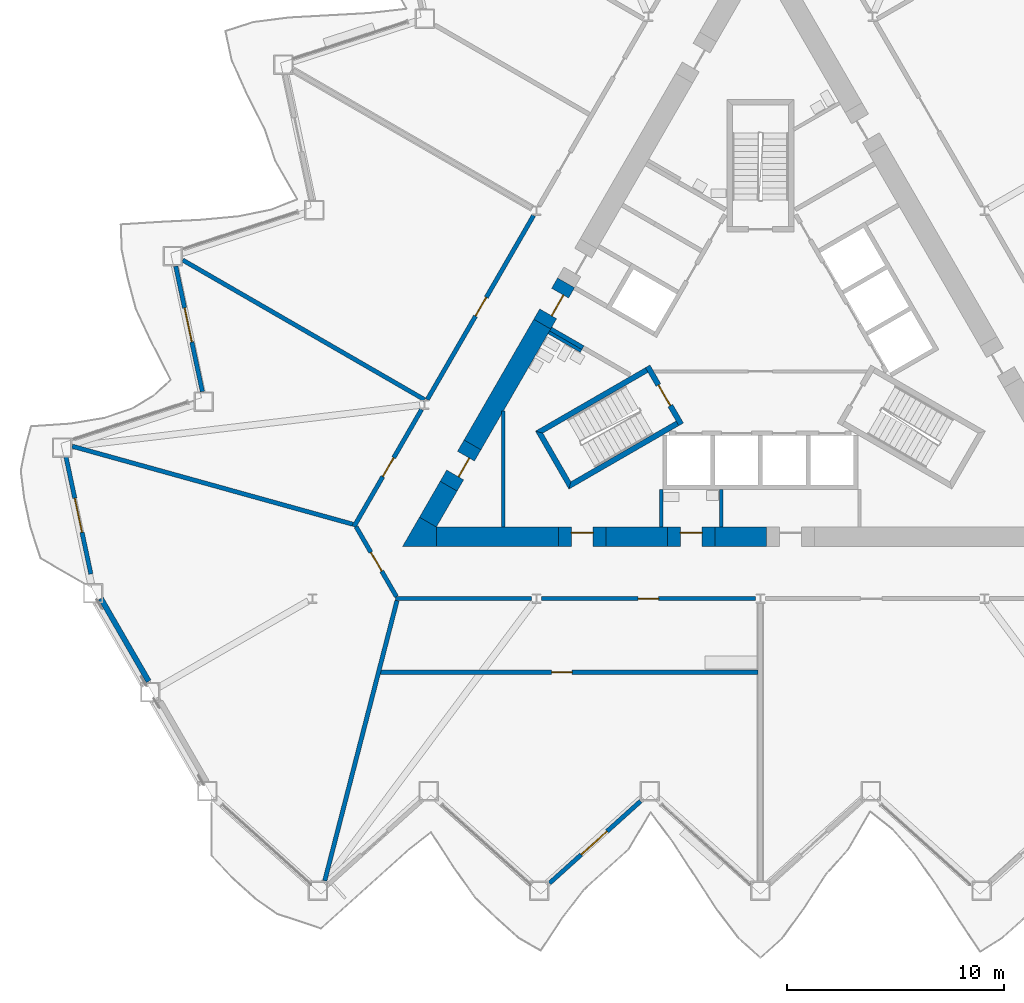
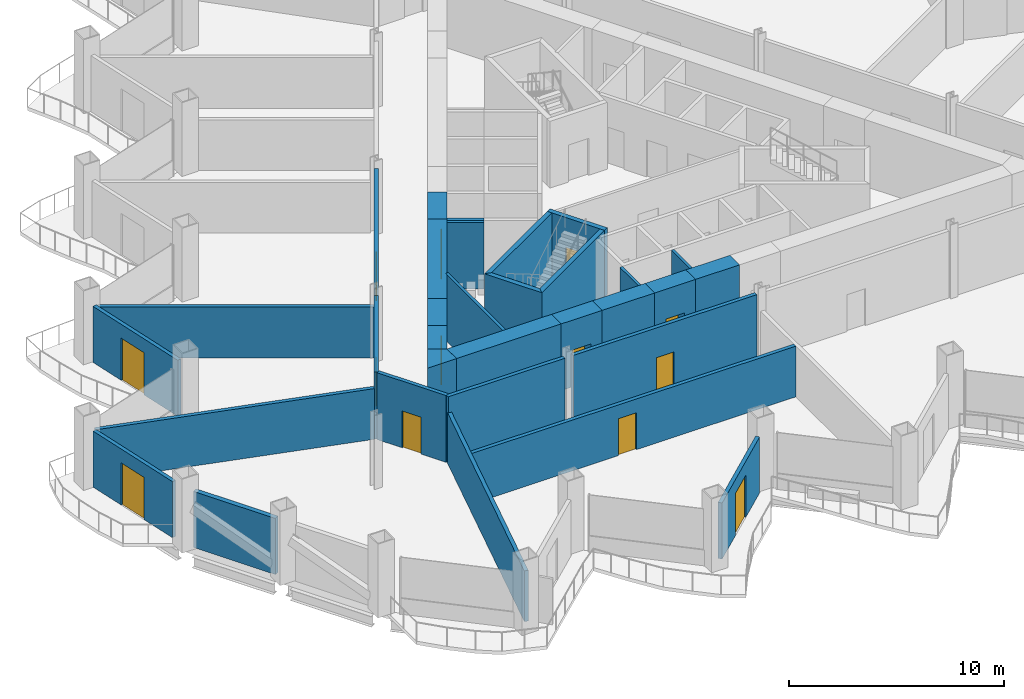
# One storey, part 10 of 21: 32 walls, 13 doors, 13 openings.
"""IFC4 building model written with IfcOpenShell, lengths in metres."""

from ifc_helpers import new_model, si_unit, direction, frame, frame_2d, origin, place, context, subcontext, project, spatial, polyline, rectangle, outline, extrude, material, layer, layer_set, type_object, element, fill, save


model = new_model("IFC4")

# Units and contexts
model_context = context("Model", 3, precision=1e-05, world=origin(), true_north=direction((0.0, 1.0)))
body_context = subcontext(model_context, "Body", "Model", "MODEL_VIEW")
ifc_project = project(units=[si_unit("LENGTHUNIT", "METRE"), si_unit("AREAUNIT", "SQUARE_METRE"), si_unit("VOLUMEUNIT", "CUBIC_METRE"), si_unit("PLANEANGLEUNIT", "RADIAN"), si_unit("MASSUNIT", "GRAM", prefix="KILO")], contexts=[model_context])

# Site, building, storey
site_placement = place(None, origin())
site = spatial("IfcSite", under=ifc_project, at=site_placement, CompositionType="ELEMENT")
building_placement = place(site_placement, origin())
building = spatial("IfcBuilding", under=site, at=building_placement, Name="Cormorant Prow Tower", CompositionType="ELEMENT")
storey_placement = place(building_placement, frame((0.0, 0.0, 137.39990234375)))
storey = spatial("IfcBuildingStorey", under=building, at=storey_placement, Name="L29", CompositionType="ELEMENT", Elevation=137.39990234375)

# Walls
ifc_material_1 = material(Name="Gypsum board partition")
ifc_layer_1 = layer(ifc_material_1, 0.14990234375)
ifc_layer_set_1 = layer_set([ifc_layer_1], Name="Gypsum board partition")
wall_type_1 = type_object("IfcWallType", Name="Core partition 150", PredefinedType="PARTITIONING", material=ifc_layer_set_1)
for number, where, z_axis, x_axis, name in (
    (1, (-8.268310546875, -0.509033203125, 0.0), (0.0, 0.0, 1.0), (-0.866024871741, 0.500000921525, 0.0), "Service room partition"),
    (2, (-4.574951171875, -6.906005859375, 0.0), (0.0, 0.0, 1.0), (0.0, -1.0, 0.0), "Service room partition"),
):
    element("IfcWall", number, at=place(storey_placement, frame(where, z_axis=z_axis, x_axis=x_axis)), inside=storey, type_object=wall_type_1, Name=name, PredefinedType="PARTITIONING", context=body_context, shape_type="SweptSolid", body=[
        extrude(rectangle(XDim=1.72021484375, YDim=0.14990234375, at=frame_2d((0.860107421875, 0.0))), origin(), (0.0, 0.0, 1.0), 3.800048828125),
    ])
wall_1_placement = place(storey_placement, frame((-11.853759765625, -8.626220703125, 0.0), z_axis=(0.0, 0.0, 1.0), x_axis=(0.0, 1.0, 0.0)))
element("IfcWall", 3, at=wall_1_placement, inside=storey, type_object=wall_type_1, Name="Service room partition", PredefinedType="PARTITIONING", context=body_context, shape_type="SweptSolid", body=[
    extrude(rectangle(XDim=5.347412109375, YDim=0.14990234375, at=frame_2d((2.673828125, 0.0))), origin(), (0.0, 0.0, 1.0), 3.800048828125),
])
wall_2_placement = place(storey_placement, frame((-1.800048828125, -8.626220703125, 0.0), z_axis=(0.0, 0.0, 1.0), x_axis=(0.0, 1.0, 0.0)))
element("IfcWall", 4, at=wall_2_placement, inside=storey, type_object=wall_type_1, Name="Service room partition", PredefinedType="PARTITIONING", context=body_context, shape_type="SweptSolid", body=[
    extrude(rectangle(XDim=1.72021484375, YDim=0.14990234375, at=frame_2d((0.860107421875, 0.0))), origin(), (0.0, 0.0, 1.0), 3.800048828125),
])
ifc_material_2 = material(Name="Concrete 8000 psi", Category="concrete")
ifc_layer_2 = layer(ifc_material_2, 0.89990234375)
ifc_layer_set_2 = layer_set([ifc_layer_2], Name="Concrete 8000 psi")
wall_type_2 = type_object("IfcWallType", Name="Core shear wall 900", PredefinedType="SHEAR", material=ifc_layer_set_2)
wall_3_placement = place(storey_placement, frame((-14.941162109375, -9.076416015625, 0.0), z_axis=(0.0, 0.0, 1.0), x_axis=(1.0, 0.0, 0.0)))
element("IfcWall", 5, at=wall_3_placement, inside=storey, type_object=wall_type_2, Name="Core wall", PredefinedType="SHEAR", context=body_context, shape_type="SweptSolid", body=[
    extrude(rectangle(XDim=5.626708984375, YDim=0.89990234375, at=frame_2d((2.8134765625, 0.0))), origin(), (0.0, 0.0, 1.0), 3.800048828125),
])
wall_4_placement = place(storey_placement, frame((-7.114501953125, -9.076416015625, 0.0), z_axis=(0.0, 0.0, 1.0), x_axis=(1.0, 0.0, 0.0)))
element("IfcWall", 6, at=wall_4_placement, inside=storey, type_object=wall_type_2, Name="Core wall", PredefinedType="SHEAR", context=body_context, shape_type="SweptSolid", body=[
    extrude(rectangle(XDim=2.826904296875, YDim=0.89990234375, at=frame_2d((1.41357421875, 0.0))), origin(), (0.0, 0.0, 1.0), 3.800048828125),
])
wall_5_placement = place(storey_placement, frame((-2.08740234375, -9.076416015625, 0.0), z_axis=(0.0, 0.0, 1.0), x_axis=(1.0, 0.0, 0.0)))
element("IfcWall", 7, at=wall_5_placement, inside=storey, type_object=wall_type_2, Name="Core wall", PredefinedType="SHEAR", context=body_context, shape_type="SweptSolid", body=[
    extrude(rectangle(XDim=2.375, YDim=0.89990234375, at=frame_2d((1.1875, 0.0))), origin(), (0.0, 0.0, 1.0), 3.800048828125),
])
wall_6_placement = place(storey_placement, frame((-10.060302734375, 0.7275390625, 0.0), z_axis=(0.0, 0.0, 1.0), x_axis=(-0.500002975332, -0.866023685969, 0.0)))
element("IfcWall", 8, at=wall_6_placement, inside=storey, type_object=wall_type_2, Name="Core wall", PredefinedType="SHEAR", context=body_context, shape_type="SweptSolid", body=[
    extrude(rectangle(XDim=6.4287109375, YDim=0.89990234375, at=frame_2d((3.21435546875, 0.0))), origin(), (0.0, 0.0, 1.0), 3.800048828125),
])
wall_7_placement = place(storey_placement, frame((-14.374755859375, -6.7451171875, 0.0), z_axis=(0.0, 0.0, 1.0), x_axis=(-0.499928740635, -0.866066541489, 0.0)))
element("IfcWall", 9, at=wall_7_placement, inside=storey, type_object=wall_type_2, Name="Core wall", PredefinedType="SHEAR", context=body_context, shape_type="SweptSolid", body=[
    extrude(rectangle(XDim=1.912353515625, YDim=0.89990234375, at=frame_2d((0.9560546875, 0.0))), origin(), (0.0, 0.0, 1.0), 3.800048828125),
])
wall_8_placement = place(storey_placement, origin())
element("IfcWall", 10, at=wall_8_placement, inside=storey, type_object=wall_type_2, Name="Core wall corner", PredefinedType="SHEAR", context=body_context, shape_type="SweptSolid", body=[
    extrude(outline(polyline([(-14.941162109375, -8.626220703125), (-14.941162109375, -9.5263671875), (-16.5, -9.5263671875), (-15.720703125, -8.17626953125), (-14.941162109375, -8.626220703125)])), origin(), (0.0, 0.0, 1.0), 3.800048828125),
])

# Wall, opening, door
wall_9_placement = place(storey_placement, frame((-4.28759765625, -9.076416015625, 0.0), z_axis=(0.0, 0.0, 1.0), x_axis=(1.0, 0.0, 0.0)))
wall_9 = element("IfcWall", 11, at=wall_9_placement, inside=storey, type_object=wall_type_2, Name="Core wall door panel", PredefinedType="SHEAR", context=body_context, shape_type="SweptSolid", body=[
    extrude(rectangle(XDim=2.2001953125, YDim=0.89990234375, at=frame_2d((1.10009765625, 0.0))), origin(), (0.0, 0.0, 1.0), 3.800048828125),
])
opening_1_placement = place(wall_9_placement, frame((0.60009765625, 0.0, 0.0)))
opening_1 = element("IfcOpeningElement", 12, at=opening_1_placement, cuts=wall_9, Name="Opening L29-C15", PredefinedType="OPENING", context=body_context, shape_type="SweptSolid", body=[
    extrude(rectangle(XDim=1.0, YDim=2.10009765625, at=frame_2d((0.5, 1.050048828125))), frame((0.0, 0.4599609375, 0.0), z_axis=(0.0, -1.0, 0.0), x_axis=(1.0, 0.0, 0.0)), (0.0, 0.0, 1.0), 0.919921875),
])
ifc_material_3 = material(Name="Painted steel", Category="steel")
door_type_1 = type_object("IfcDoorType", Name="Service door 1000x2100", OperationType="NOTDEFINED", PredefinedType="DOOR", material=ifc_material_3)
door_1_placement = place(opening_1_placement, origin())
door_1 = element("IfcDoor", 13, at=door_1_placement, inside=storey, type_object=door_type_1, Name="Core door, Accessible WC L29", OperationType="SINGLE_SWING_RIGHT", OverallHeight=2.10009765625, OverallWidth=1.0, PredefinedType="DOOR", context=body_context, shape_type="SweptSolid", body=[
    extrude(rectangle(XDim=1.0, YDim=2.10009765625, at=frame_2d((0.5, 1.050048828125))), frame((0.0, 0.205078125, 0.0), z_axis=(0.0, -1.0, 0.0), x_axis=(1.0, 0.0, 0.0)), (0.0, 0.0, 1.0), 0.050048828125),
])
fill(opening_1, door_1)

wall_10_placement = place(storey_placement, frame((-13.274658203125, -4.83984375, 0.0), z_axis=(0.0, 0.0, 1.0), x_axis=(-0.50002983664, -0.866008176907, 0.0)))
wall_10 = element("IfcWall", 14, at=wall_10_placement, inside=storey, type_object=wall_type_2, Name="Core wall door panel", PredefinedType="SHEAR", context=body_context, shape_type="SweptSolid", body=[
    extrude(rectangle(XDim=2.199951171875, YDim=0.89990234375, at=frame_2d((1.10009765625, 0.0))), origin(), (0.0, 0.0, 1.0), 3.800048828125),
])
opening_2_placement = place(wall_10_placement, frame((0.60009765625, 0.0, 0.0)))
opening_2 = element("IfcOpeningElement", 15, at=opening_2_placement, cuts=wall_10, Name="Opening L29-C17", PredefinedType="OPENING", context=body_context, shape_type="SweptSolid", body=[
    extrude(rectangle(XDim=1.0, YDim=2.10009765625, at=frame_2d((0.5, 1.050048828125))), frame((0.0, 0.4599609375, 0.0), z_axis=(0.0, -1.0, 0.0), x_axis=(1.0, 0.0, 0.0)), (0.0, 0.0, 1.0), 0.919921875),
])
door_2_placement = place(opening_2_placement, origin())
door_2 = element("IfcDoor", 16, at=door_2_placement, inside=storey, type_object=door_type_1, Name="Core door, Electrical room", OperationType="SINGLE_SWING_RIGHT", OverallHeight=2.10009765625, OverallWidth=1.0, PredefinedType="DOOR", context=body_context, shape_type="SweptSolid", body=[
    extrude(rectangle(XDim=1.0, YDim=2.10009765625, at=frame_2d((0.5, 1.050048828125))), frame((0.0, 0.205078125, 0.0), z_axis=(0.0, -1.0, 0.0), x_axis=(1.0, 0.0, 0.0)), (0.0, 0.0, 1.0), 0.050048828125),
])
fill(opening_2, door_2)

wall_11_placement = place(storey_placement, frame((-9.314453125, -9.076416015625, 0.0), z_axis=(0.0, 0.0, 1.0), x_axis=(1.0, 0.0, 0.0)))
wall_11 = element("IfcWall", 17, at=wall_11_placement, inside=storey, type_object=wall_type_2, Name="Core wall door panel", PredefinedType="SHEAR", context=body_context, shape_type="SweptSolid", body=[
    extrude(rectangle(XDim=2.199951171875, YDim=0.89990234375, at=frame_2d((1.10009765625, 0.0))), origin(), (0.0, 0.0, 1.0), 3.800048828125),
])
opening_3_placement = place(wall_11_placement, frame((0.60009765625, 0.0, 0.0)))
opening_3 = element("IfcOpeningElement", 18, at=opening_3_placement, cuts=wall_11, Name="Opening L29-C18", PredefinedType="OPENING", context=body_context, shape_type="SweptSolid", body=[
    extrude(rectangle(XDim=1.0, YDim=2.10009765625, at=frame_2d((0.5, 1.050048828125))), frame((0.0, 0.4599609375, 0.0), z_axis=(0.0, -1.0, 0.0), x_axis=(1.0, 0.0, 0.0)), (0.0, 0.0, 1.0), 0.919921875),
])
door_3_placement = place(opening_3_placement, origin())
door_3 = element("IfcDoor", 19, at=door_3_placement, inside=storey, type_object=door_type_1, Name="Core door, Toilets (women) L29", OperationType="SINGLE_SWING_LEFT", OverallHeight=2.10009765625, OverallWidth=1.0, PredefinedType="DOOR", context=body_context, shape_type="SweptSolid", body=[
    extrude(rectangle(XDim=1.0, YDim=2.10009765625, at=frame_2d((0.5, 1.050048828125))), frame((0.0, 0.205078125, 0.0), z_axis=(0.0, -1.0, 0.0), x_axis=(1.0, 0.0, 0.0)), (0.0, 0.0, 1.0), 0.050048828125),
])
fill(opening_3, door_3)

wall_12_placement = place(storey_placement, frame((-8.960205078125, 2.6328125, 0.0), z_axis=(0.0, 0.0, 1.0), x_axis=(-0.50002983664, -0.866008176907, 0.0)))
wall_12 = element("IfcWall", 20, at=wall_12_placement, inside=storey, type_object=wall_type_2, Name="Core wall door panel", PredefinedType="SHEAR", context=body_context, shape_type="SweptSolid", body=[
    extrude(rectangle(XDim=2.199951171875, YDim=0.89990234375, at=frame_2d((1.10009765625, 0.0))), origin(), (0.0, 0.0, 1.0), 3.800048828125),
])
opening_4_placement = place(wall_12_placement, frame((0.550048828125, 0.0, 0.0)))
opening_4 = element("IfcOpeningElement", 21, at=opening_4_placement, cuts=wall_12, Name="Opening L29-C23", PredefinedType="OPENING", context=body_context, shape_type="SweptSolid", body=[
    extrude(rectangle(XDim=1.10009765625, YDim=2.10009765625, at=frame_2d((0.550048828125, 1.050048828125))), frame((0.0, 0.4599609375, 0.0), z_axis=(0.0, -1.0, 0.0), x_axis=(1.0, 0.0, 0.0)), (0.0, 0.0, 1.0), 0.919921875),
])
ifc_material_4 = material(Name="Painted steel", Category="steel")
door_type_2 = type_object("IfcDoorType", Name="Core door 1100x2100", OperationType="NOTDEFINED", PredefinedType="DOOR", material=ifc_material_4)
door_4_placement = place(opening_4_placement, origin())
door_4 = element("IfcDoor", 22, at=door_4_placement, inside=storey, type_object=door_type_2, Name="Core door, lift lobby", OperationType="SINGLE_SWING_RIGHT", OverallHeight=2.10009765625, OverallWidth=1.10009765625, PredefinedType="DOOR", context=body_context, shape_type="SweptSolid", body=[
    extrude(rectangle(XDim=1.10009765625, YDim=2.10009765625, at=frame_2d((0.550048828125, 1.050048828125))), frame((0.0, 0.205078125, 0.0), z_axis=(0.0, -1.0, 0.0), x_axis=(1.0, 0.0, 0.0)), (0.0, 0.0, 1.0), 0.050048828125),
])
fill(opening_4, door_4)

ifc_material_5 = material(Name="Gypsum board corridor wall")
ifc_layer_3 = layer(ifc_material_5, 0.199951171875)
ifc_layer_set_3 = layer_set([ifc_layer_3], Name="Gypsum board corridor wall")
wall_type_3 = type_object("IfcWallType", Name="Corridor wall 200", PredefinedType="PARTITIONING", material=ifc_layer_set_3)
wall_13_placement = place(storey_placement, frame((-10.10107421875, -11.92626953125, 0.0), z_axis=(0.0, 0.0, 1.0), x_axis=(1.0, 0.0, 0.0)))
wall_13 = element("IfcWall", 23, at=wall_13_placement, inside=storey, type_object=wall_type_3, Name="Corridor wall", PredefinedType="PARTITIONING", context=body_context, shape_type="SweptSolid", body=[
    extrude(rectangle(XDim=9.873779296875, YDim=0.199951171875, at=frame_2d((4.93701171875, 0.0))), origin(), (0.0, 0.0, 1.0), 3.800048828125),
])
opening_5_placement = place(wall_13_placement, frame((4.4619140625, 0.0, 0.0)))
opening_5 = element("IfcOpeningElement", 24, at=opening_5_placement, cuts=wall_13, Name="Opening L29-F01", PredefinedType="OPENING", context=body_context, shape_type="SweptSolid", body=[
    extrude(rectangle(XDim=0.949951171875, YDim=2.10009765625, at=frame_2d((0.47509765625, 1.050048828125))), frame((0.0, 0.10986328125, 0.0), z_axis=(0.0, -1.0, 0.0), x_axis=(1.0, 0.0, 0.0)), (0.0, 0.0, 1.0), 0.219970703125),
])
ifc_material_6 = material(Name="Timber door leaf", Category="wood")
door_type_3 = type_object("IfcDoorType", Name="Store door 950x2100", OperationType="NOTDEFINED", PredefinedType="DOOR", material=ifc_material_6)
door_5_placement = place(opening_5_placement, origin())
door_5 = element("IfcDoor", 25, at=door_5_placement, inside=storey, type_object=door_type_3, Name="Tea point and pantry door", OperationType="SINGLE_SWING_RIGHT", OverallHeight=2.10009765625, OverallWidth=0.949951171875, PredefinedType="DOOR", context=body_context, shape_type="SweptSolid", body=[
    extrude(rectangle(XDim=0.949951171875, YDim=2.10009765625, at=frame_2d((0.47509765625, 1.050048828125))), frame((0.0, 0.02490234375, 0.0), z_axis=(0.0, -1.0, 0.0), x_axis=(1.0, 0.0, 0.0)), (0.0, 0.0, 1.0), 0.050048828125),
])
fill(opening_5, door_5)

wall_14_placement = place(storey_placement, frame((-15.361328125, -2.754150390625, 0.0), z_axis=(0.0, 0.0, 1.0), x_axis=(0.500004141693, 0.866023012564, 0.0)))
wall_14 = element("IfcWall", 26, at=wall_14_placement, inside=storey, type_object=wall_type_3, Name="Corridor wall", PredefinedType="PARTITIONING", context=body_context, shape_type="SweptSolid", body=[
    extrude(rectangle(XDim=9.80322265625, YDim=0.199951171875, at=frame_2d((4.901611328125, 0.0))), origin(), (0.0, 0.0, 1.0), 3.800048828125),
])
opening_6_placement = place(wall_14_placement, frame((4.45166015625, 0.0, 0.0)))
opening_6 = element("IfcOpeningElement", 27, at=opening_6_placement, cuts=wall_14, Name="Opening L29-F13", PredefinedType="OPENING", context=body_context, shape_type="SweptSolid", body=[
    extrude(rectangle(XDim=1.0, YDim=2.10009765625, at=frame_2d((0.5, 1.050048828125))), frame((0.0, 0.10986328125, 0.0), z_axis=(0.0, -1.0, 0.0), x_axis=(1.0, 0.0, 0.0)), (0.0, 0.0, 1.0), 0.219970703125),
])
ifc_material_7 = material(Name="Timber door leaf", Category="wood")
door_type_4 = type_object("IfcDoorType", Name="Office door 1000x2100", OperationType="NOTDEFINED", PredefinedType="DOOR", material=ifc_material_7)
door_6_placement = place(opening_6_placement, origin())
door_6 = element("IfcDoor", 28, at=door_6_placement, inside=storey, type_object=door_type_4, Name="Open-plan office door", OperationType="SINGLE_SWING_RIGHT", OverallHeight=2.10009765625, OverallWidth=1.0, PredefinedType="DOOR", context=body_context, shape_type="SweptSolid", body=[
    extrude(rectangle(XDim=1.0, YDim=2.10009765625, at=frame_2d((0.5, 1.050048828125))), frame((0.0, 0.02490234375, 0.0), z_axis=(0.0, -1.0, 0.0), x_axis=(1.0, 0.0, 0.0)), (0.0, 0.0, 1.0), 0.050048828125),
])
fill(opening_6, door_6)

# Wall
wall_15_placement = place(storey_placement, frame((-16.830810546875, -11.92626953125, 0.0), z_axis=(0.0, 0.0, 1.0), x_axis=(1.0, 0.0, 0.0)))
element("IfcWall", 29, at=wall_15_placement, inside=storey, type_object=wall_type_3, Name="Corridor wall", PredefinedType="PARTITIONING", context=body_context, shape_type="SweptSolid", body=[
    extrude(rectangle(XDim=6.27490234375, YDim=0.199951171875, at=frame_2d((3.137451171875, 0.0))), origin(), (0.0, 0.0, 1.0), 3.800048828125),
])

# Wall, opening, door
wall_16_placement = place(storey_placement, frame((-18.743896484375, -8.61279296875, 0.0), z_axis=(0.0, 0.0, 1.0), x_axis=(0.499997920671, 0.866026604282, 0.0)))
wall_16 = element("IfcWall", 30, at=wall_16_placement, inside=storey, type_object=wall_type_3, Name="Corridor wall", PredefinedType="PARTITIONING", context=body_context, shape_type="SweptSolid", body=[
    extrude(rectangle(XDim=6.23974609375, YDim=0.199951171875, at=frame_2d((3.119873046875, 0.0))), origin(), (0.0, 0.0, 1.0), 3.800048828125),
])
opening_7_placement = place(wall_16_placement, frame((2.67041015625, 0.0, 0.0)))
opening_7 = element("IfcOpeningElement", 31, at=opening_7_placement, cuts=wall_16, Name="Opening L29-F14", PredefinedType="OPENING", context=body_context, shape_type="SweptSolid", body=[
    extrude(rectangle(XDim=1.0, YDim=2.10009765625, at=frame_2d((0.5, 1.050048828125))), frame((0.0, 0.10986328125, 0.0), z_axis=(0.0, -1.0, 0.0), x_axis=(1.0, 0.0, 0.0)), (0.0, 0.0, 1.0), 0.219970703125),
])
door_7_placement = place(opening_7_placement, origin())
door_7 = element("IfcDoor", 32, at=door_7_placement, inside=storey, type_object=door_type_4, Name="Tenant suite door", OperationType="SINGLE_SWING_LEFT", OverallHeight=2.10009765625, OverallWidth=1.0, PredefinedType="DOOR", context=body_context, shape_type="SweptSolid", body=[
    extrude(rectangle(XDim=1.0, YDim=2.10009765625, at=frame_2d((0.5, 1.050048828125))), frame((0.0, 0.02490234375, 0.0), z_axis=(0.0, -1.0, 0.0), x_axis=(1.0, 0.0, 0.0)), (0.0, 0.0, 1.0), 0.050048828125),
])
fill(opening_7, door_7)

wall_17_placement = place(storey_placement, frame((-18.643798828125, -8.61279296875, 0.0), z_axis=(0.0, 0.0, 1.0), x_axis=(0.499958791762, -0.866049194065, 0.0)))
wall_17 = element("IfcWall", 33, at=wall_17_placement, inside=storey, type_object=wall_type_3, Name="Corridor wall", PredefinedType="PARTITIONING", context=body_context, shape_type="SweptSolid", body=[
    extrude(rectangle(XDim=3.725830078125, YDim=0.199951171875, at=frame_2d((1.86279296875, 0.0))), origin(), (0.0, 0.0, 1.0), 3.800048828125),
])
opening_8_placement = place(wall_17_placement, frame((1.363037109375, 0.0, 0.0)))
opening_8 = element("IfcOpeningElement", 34, at=opening_8_placement, cuts=wall_17, Name="Opening L29-F15", PredefinedType="OPENING", context=body_context, shape_type="SweptSolid", body=[
    extrude(rectangle(XDim=1.0, YDim=2.10009765625, at=frame_2d((0.5, 1.050048828125))), frame((0.0, 0.10986328125, 0.0), z_axis=(0.0, -1.0, 0.0), x_axis=(1.0, 0.0, 0.0)), (0.0, 0.0, 1.0), 0.219970703125),
])
door_8_placement = place(opening_8_placement, origin())
door_8 = element("IfcDoor", 35, at=door_8_placement, inside=storey, type_object=door_type_4, Name="Tenant suite door", OperationType="SINGLE_SWING_LEFT", OverallHeight=2.10009765625, OverallWidth=1.0, PredefinedType="DOOR", context=body_context, shape_type="SweptSolid", body=[
    extrude(rectangle(XDim=1.0, YDim=2.10009765625, at=frame_2d((0.5, 1.050048828125))), frame((0.0, 0.02490234375, 0.0), z_axis=(0.0, -1.0, 0.0), x_axis=(1.0, 0.0, 0.0)), (0.0, 0.0, 1.0), 0.050048828125),
])
fill(opening_8, door_8)

ifc_material_8 = material(Name="Gypsum board demising wall")
ifc_layer_4 = layer(ifc_material_8, 0.199951171875)
ifc_layer_set_4 = layer_set([ifc_layer_4], Name="Gypsum board demising wall")
wall_type_4 = type_object("IfcWallType", Name="Demising wall 200", PredefinedType="PARTITIONING", material=ifc_layer_set_4)
wall_18_placement = place(storey_placement, frame((-17.508056640625, -15.326416015625, 0.0), z_axis=(0.0, 0.0, 1.0), x_axis=(1.0, 0.0, 0.0)))
wall_18 = element("IfcWall", 36, at=wall_18_placement, inside=storey, type_object=wall_type_4, Name="Demising wall", PredefinedType="PARTITIONING", context=body_context, shape_type="SweptSolid", body=[
    extrude(rectangle(XDim=17.407958984375, YDim=0.199951171875, at=frame_2d((8.7041015625, 0.0))), origin(), (0.0, 0.0, 1.0), 2.885498046875),
])
opening_9_placement = place(wall_18_placement, frame((7.877685546875, 0.0, 0.0)))
opening_9 = element("IfcOpeningElement", 37, at=opening_9_placement, cuts=wall_18, Name="Opening L29-F02", PredefinedType="OPENING", context=body_context, shape_type="SweptSolid", body=[
    extrude(rectangle(XDim=0.949951171875, YDim=2.10009765625, at=frame_2d((0.47509765625, 1.050048828125))), frame((0.0, 0.10986328125, 0.0), z_axis=(0.0, -1.0, 0.0), x_axis=(1.0, 0.0, 0.0)), (0.0, 0.0, 1.0), 0.219970703125),
])
door_9_placement = place(opening_9_placement, origin())
door_9 = element("IfcDoor", 38, at=door_9_placement, inside=storey, type_object=door_type_3, Name="Print and copy room door", OperationType="SINGLE_SWING_RIGHT", OverallHeight=2.10009765625, OverallWidth=0.949951171875, PredefinedType="DOOR", context=body_context, shape_type="SweptSolid", body=[
    extrude(rectangle(XDim=0.949951171875, YDim=2.10009765625, at=frame_2d((0.47509765625, 1.050048828125))), frame((0.0, 0.02490234375, 0.0), z_axis=(0.0, -1.0, 0.0), x_axis=(1.0, 0.0, 0.0)), (0.0, 0.0, 1.0), 0.050048828125),
])
fill(opening_9, door_9)

# Walls
wall_19_placement = place(storey_placement, frame((-31.736083984375, -4.90087890625, 0.0), z_axis=(0.0, 0.0, 1.0), x_axis=(0.963468434011, -0.267821912219, 0.0)))
element("IfcWall", 39, at=wall_19_placement, inside=storey, type_object=wall_type_4, Name="Demising wall", PredefinedType="PARTITIONING", context=body_context, shape_type="SweptSolid", body=[
    extrude(rectangle(XDim=13.436767578125, YDim=0.199951171875, at=frame_2d((6.71826171875, 0.0))), origin(), (0.0, 0.0, 1.0), 2.885498046875),
])
wall_20_placement = place(storey_placement, frame((-20.088134765625, -24.939208984375, 0.0), z_axis=(0.0, 0.0, 1.0), x_axis=(0.249815467428, 0.968293463901, 0.0)))
element("IfcWall", 40, at=wall_20_placement, inside=storey, type_object=wall_type_4, Name="Demising wall", PredefinedType="PARTITIONING", context=body_context, shape_type="SweptSolid", body=[
    extrude(rectangle(XDim=13.3388671875, YDim=0.199951171875, at=frame_2d((6.66943359375, 0.0))), origin(), (0.0, 0.0, 1.0), 2.885498046875),
])
wall_21_placement = place(storey_placement, frame((-26.63623046875, 3.682373046875, 0.0), z_axis=(0.0, 0.0, 1.0), x_axis=(0.866026411352, -0.499998254837, 0.0)))
element("IfcWall", 41, at=wall_21_placement, inside=storey, type_object=wall_type_4, Name="Demising wall", PredefinedType="PARTITIONING", context=body_context, shape_type="SweptSolid", body=[
    extrude(rectangle(XDim=12.873046875, YDim=0.199951171875, at=frame_2d((6.4365234375, 0.0))), origin(), (0.0, 0.0, 1.0), 2.885498046875),
])
ifc_material_9 = material(Name="Concrete 8000 psi", Category="concrete")
ifc_layer_5 = layer(ifc_material_9, 0.199951171875)
ifc_layer_set_5 = layer_set([ifc_layer_5], Name="Concrete 8000 psi")
wall_type_5 = type_object("IfcWallType", Name="Lift shaft wall 200", PredefinedType="SHEAR", material=ifc_layer_set_5)
wall_22_placement = place(storey_placement, frame((-8.180908203125, -0.357421875, 0.0), z_axis=(0.0, 0.0, 1.0), x_axis=(-0.866024871741, 0.500000921525, 0.0)))
element("IfcWall", 42, at=wall_22_placement, inside=storey, type_object=wall_type_5, Name="Lobby passage wall", PredefinedType="SHEAR", context=body_context, shape_type="SweptSolid", body=[
    extrude(rectangle(XDim=1.72021484375, YDim=0.199951171875, at=frame_2d((0.860107421875, 0.0))), origin(), (0.0, 0.0, 1.0), 3.800048828125),
])
ifc_material_10 = material(Name="Concrete 8000 psi", Category="concrete")
ifc_layer_6 = layer(ifc_material_10, 0.25)
ifc_layer_set_6 = layer_set([ifc_layer_6], Name="Concrete 8000 psi")
wall_type_6 = type_object("IfcWallType", Name="Stair wall 250", PredefinedType="SHEAR", material=ifc_layer_set_6)
wall_23_placement = place(storey_placement, origin())
element("IfcWall", 43, at=wall_23_placement, inside=storey, type_object=wall_type_6, Name="Stair ST1 enclosure wall (flank)", PredefinedType="SHEAR", context=body_context, shape_type="SweptSolid", body=[
    extrude(outline(polyline([(-5.30712890625, -1.28125), (-10.37353515625, -4.206298828125), (-10.031982421875, -4.2978515625), (-5.18212890625, -1.497802734375), (-5.30712890625, -1.28125)])), origin(), (0.0, 0.0, 1.0), 3.800048828125),
])
wall_24_placement = place(storey_placement, origin())
element("IfcWall", 44, at=wall_24_placement, inside=storey, type_object=wall_type_6, Name="Stair ST1 enclosure wall (end)", PredefinedType="SHEAR", context=body_context, shape_type="SweptSolid", body=[
    extrude(outline(polyline([(-10.37353515625, -4.206298828125), (-8.82958984375, -6.880615234375), (-8.738037109375, -6.5390625), (-10.031982421875, -4.2978515625), (-10.37353515625, -4.206298828125)])), origin(), (0.0, 0.0, 1.0), 3.800048828125),
])
wall_25_placement = place(storey_placement, origin())
element("IfcWall", 45, at=wall_25_placement, inside=storey, type_object=wall_type_6, Name="Stair ST1 enclosure wall (flank)", PredefinedType="SHEAR", context=body_context, shape_type="SweptSolid", body=[
    extrude(outline(polyline([(-8.738037109375, -6.5390625), (-8.82958984375, -6.880615234375), (-3.76318359375, -3.95556640625), (-3.88818359375, -3.739013671875), (-8.738037109375, -6.5390625)])), origin(), (0.0, 0.0, 1.0), 3.800048828125),
])

# Wall, opening, door
wall_26_placement = place(storey_placement, frame((-5.198974609375, -1.21875, 0.0), z_axis=(0.0, 0.0, 1.0), x_axis=(0.499982516597, -0.866035497597, 0.0)))
wall_26 = element("IfcWall", 46, at=wall_26_placement, inside=storey, type_object=wall_type_6, Name="Stair ST1 door wall", PredefinedType="SHEAR", context=body_context, shape_type="SweptSolid", body=[
    extrude(rectangle(XDim=3.087890625, YDim=0.25, at=frame_2d((1.5439453125, 0.0))), origin(), (0.0, 0.0, 1.0), 3.800048828125),
])
opening_10_placement = place(wall_26_placement, frame((0.993896484375, 0.0, 0.0)))
opening_10 = element("IfcOpeningElement", 47, at=opening_10_placement, cuts=wall_26, Name="Opening L29-C12", PredefinedType="OPENING", context=body_context, shape_type="SweptSolid", body=[
    extrude(rectangle(XDim=1.10009765625, YDim=2.10009765625, at=frame_2d((0.550048828125, 1.050048828125))), frame((0.0, 0.135009765625, 0.0), z_axis=(0.0, -1.0, 0.0), x_axis=(1.0, 0.0, 0.0)), (0.0, 0.0, 1.0), 0.27001953125),
])
ifc_material_11 = material(Name="Painted steel", Category="steel")
door_type_5 = type_object("IfcDoorType", Name="Stair door 1100x2100", OperationType="NOTDEFINED", PredefinedType="DOOR", material=ifc_material_11)
door_10_placement = place(opening_10_placement, origin())
door_10 = element("IfcDoor", 48, at=door_10_placement, inside=storey, type_object=door_type_5, Name="Stair ST1 door", OperationType="SINGLE_SWING_LEFT", OverallHeight=2.10009765625, OverallWidth=1.10009765625, PredefinedType="DOOR", context=body_context, shape_type="SweptSolid", body=[
    extrude(rectangle(XDim=1.10009765625, YDim=2.10009765625, at=frame_2d((0.550048828125, 1.050048828125))), frame((0.0, 0.02490234375, 0.0), z_axis=(0.0, -1.0, 0.0), x_axis=(1.0, 0.0, 0.0)), (0.0, 0.0, 1.0), 0.050048828125),
])
fill(opening_10, door_10)

# Wall
ifc_material_12 = material(Name="Terracotta", Category="masonry")
ifc_layer_7 = layer(ifc_material_12, 0.25)
ifc_layer_set_7 = layer_set([ifc_layer_7], Name="Terracotta")
wall_type_7 = type_object("IfcWallType", Name="Terracotta bay wall 250", PredefinedType="SOLIDWALL", material=ifc_layer_set_7)
wall_27_placement = place(storey_placement, frame((-30.4111328125, -11.92431640625, 0.0), z_axis=(0.0, 0.0, 1.0), x_axis=(0.499979643272, -0.866037156428, 0.0)))
element("IfcWall", 49, at=wall_27_placement, inside=storey, type_object=wall_type_7, Name="Terracotta bay wall WSW00", PredefinedType="SOLIDWALL", context=body_context, shape_type="SweptSolid", body=[
    extrude(rectangle(XDim=4.409912109375, YDim=0.25, at=frame_2d((2.205078125, 0.0))), origin(), (0.0, 0.0, 1.0), 3.18896484375),
])

# Wall, opening, door
ifc_material_13 = material(Name="Terracotta", Category="masonry")
ifc_layer_8 = layer(ifc_material_13, 0.199951171875)
ifc_layer_set_8 = layer_set([ifc_layer_8], Name="Terracotta")
wall_type_8 = type_object("IfcWallType", Name="Terracotta jamb wall 200", PredefinedType="SOLIDWALL", material=ifc_layer_set_8)
wall_28_placement = place(storey_placement, frame((-9.723388671875, -25.04833984375, 0.0), z_axis=(0.0, 0.0, 1.0), x_axis=(0.743135184962, 0.669141313081, 0.0)))
wall_28 = element("IfcWall", 50, at=wall_28_placement, inside=storey, type_object=wall_type_8, Name="Terracotta jamb wall S03", PredefinedType="SOLIDWALL", context=body_context, shape_type="SweptSolid", body=[
    extrude(rectangle(XDim=5.652099609375, YDim=0.199951171875, at=frame_2d((2.826171875, 0.0))), origin(), (0.0, 0.0, 1.0), 3.18896484375),
])
opening_11_placement = place(wall_28_placement, frame((1.971435546875, 0.0, 0.0)))
opening_11 = element("IfcOpeningElement", 51, at=opening_11_placement, cuts=wall_28, Name="Opening ED29.02", PredefinedType="OPENING", context=body_context, shape_type="SweptSolid", body=[
    extrude(rectangle(XDim=1.60009765625, YDim=2.39990234375, at=frame_2d((0.800048828125, 1.199951171875))), frame((0.0, 0.10986328125, 0.0), z_axis=(0.0, -1.0, 0.0), x_axis=(1.0, 0.0, 0.0)), (0.0, 0.0, 1.0), 0.219970703125),
])
ifc_material_14 = material(Name="Aluminium 6063-T6", Category="aluminium")
door_type_6 = type_object("IfcDoorType", Name="Balcony door 1600x2400", OperationType="DOUBLE_DOOR_SINGLE_SWING", PredefinedType="DOOR", material=ifc_material_14)
door_11_placement = place(opening_11_placement, origin())
door_11 = element("IfcDoor", 52, at=door_11_placement, inside=storey, type_object=door_type_6, Name="Balcony door S03 ED29.02", OperationType="DOUBLE_DOOR_SINGLE_SWING", OverallHeight=2.39990234375, OverallWidth=1.60009765625, PredefinedType="DOOR", context=body_context, shape_type="SweptSolid", body=[
    extrude(rectangle(XDim=1.60009765625, YDim=2.39990234375, at=frame_2d((0.800048828125, 1.199951171875))), frame((0.0, 0.02490234375, 0.0), z_axis=(0.0, -1.0, 0.0), x_axis=(1.0, 0.0, 0.0)), (0.0, 0.0, 1.0), 0.050048828125),
])
fill(opening_11, door_11)

wall_29_placement = place(storey_placement, frame((-26.959716796875, 3.400634765625, 0.0), z_axis=(0.0, 0.0, 1.0), x_axis=(0.207883954519, -0.978153495855, 0.0)))
wall_29 = element("IfcWall", 53, at=wall_29_placement, inside=storey, type_object=wall_type_8, Name="Terracotta jamb wall WNW07", PredefinedType="SOLIDWALL", context=body_context, shape_type="SweptSolid", body=[
    extrude(rectangle(XDim=5.90966796875, YDim=0.199951171875, at=frame_2d((2.954833984375, 0.0))), origin(), (0.0, 0.0, 1.0), 3.18896484375),
])
opening_12_placement = place(wall_29_placement, frame((1.971435546875, 0.0, 0.0)))
opening_12 = element("IfcOpeningElement", 54, at=opening_12_placement, cuts=wall_29, Name="Opening ED29.14", PredefinedType="OPENING", context=body_context, shape_type="SweptSolid", body=[
    extrude(rectangle(XDim=1.60009765625, YDim=2.39990234375, at=frame_2d((0.800048828125, 1.199951171875))), frame((0.0, 0.10986328125, 0.0), z_axis=(0.0, -1.0, 0.0), x_axis=(1.0, 0.0, 0.0)), (0.0, 0.0, 1.0), 0.219970703125),
])
door_12_placement = place(opening_12_placement, origin())
door_12 = element("IfcDoor", 55, at=door_12_placement, inside=storey, type_object=door_type_6, Name="Balcony door WNW07 ED29.14", OperationType="DOUBLE_DOOR_SINGLE_SWING", OverallHeight=2.39990234375, OverallWidth=1.60009765625, PredefinedType="DOOR", context=body_context, shape_type="SweptSolid", body=[
    extrude(rectangle(XDim=1.60009765625, YDim=2.39990234375, at=frame_2d((0.800048828125, 1.199951171875))), frame((0.0, 0.02490234375, 0.0), z_axis=(0.0, -1.0, 0.0), x_axis=(1.0, 0.0, 0.0)), (0.0, 0.0, 1.0), 0.050048828125),
])
fill(opening_12, door_12)

wall_30_placement = place(storey_placement, frame((-32.0244140625, -5.371337890625, 0.0), z_axis=(0.0, 0.0, 1.0), x_axis=(0.207934610169, -0.978142728795, 0.0)))
wall_30 = element("IfcWall", 56, at=wall_30_placement, inside=storey, type_object=wall_type_8, Name="Terracotta jamb wall WNW09", PredefinedType="SOLIDWALL", context=body_context, shape_type="SweptSolid", body=[
    extrude(rectangle(XDim=5.54296875, YDim=0.199951171875, at=frame_2d((2.771484375, 0.0))), origin(), (0.0, 0.0, 1.0), 3.18896484375),
])
opening_13_placement = place(wall_30_placement, frame((1.971435546875, 0.0, 0.0)))
opening_13 = element("IfcOpeningElement", 57, at=opening_13_placement, cuts=wall_30, Name="Opening ED29.15", PredefinedType="OPENING", context=body_context, shape_type="SweptSolid", body=[
    extrude(rectangle(XDim=1.60009765625, YDim=2.39990234375, at=frame_2d((0.800048828125, 1.199951171875))), frame((0.0, 0.10986328125, 0.0), z_axis=(0.0, -1.0, 0.0), x_axis=(1.0, 0.0, 0.0)), (0.0, 0.0, 1.0), 0.219970703125),
])
door_13_placement = place(opening_13_placement, origin())
door_13 = element("IfcDoor", 58, at=door_13_placement, inside=storey, type_object=door_type_6, Name="Balcony door WNW09 ED29.15", OperationType="DOUBLE_DOOR_SINGLE_SWING", OverallHeight=2.39990234375, OverallWidth=1.60009765625, PredefinedType="DOOR", context=body_context, shape_type="SweptSolid", body=[
    extrude(rectangle(XDim=1.60009765625, YDim=2.39990234375, at=frame_2d((0.800048828125, 1.199951171875))), frame((0.0, 0.02490234375, 0.0), z_axis=(0.0, -1.0, 0.0), x_axis=(1.0, 0.0, 0.0)), (0.0, 0.0, 1.0), 0.050048828125),
])
fill(opening_13, door_13)

save(model, "model.ifc")
